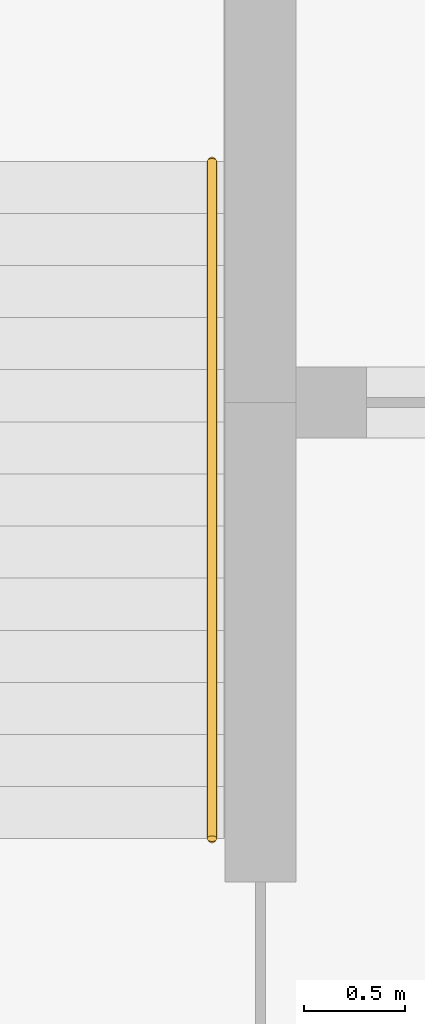
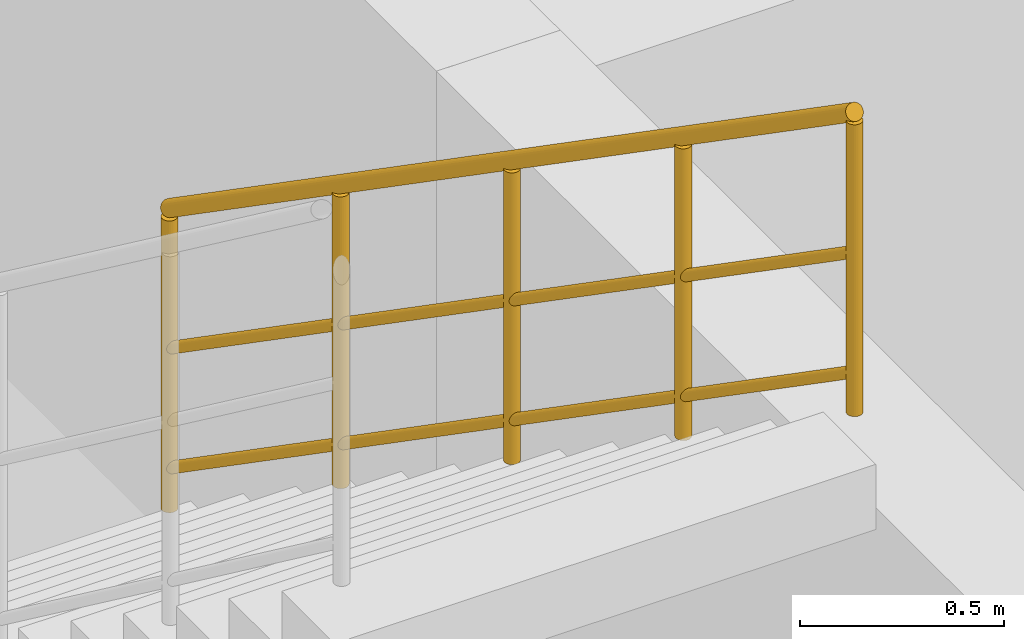
# One storey, part 29 of 29: 1 railing.
"""IFC4 building model written with IfcOpenShell, lengths in metres."""

import ifcopenshell
import ifcopenshell.guid

model = None  # the IFC model being written
_history = None  # IfcOwnerHistory: only IFC2X3 demands one
_inside = {}  # id of a spatial element -> (the spatial element, [elements in it])
_under = {}  # id of a project, library or spatial element -> (it, [spatial elements below it])
_declared = {}  # id of a project -> (the project, [libraries it declares])
_typed = {}  # id of a type object -> (the type object, [elements of that type])
_made_of = {}  # id of a material, layer set ... -> (it, [elements and type objects made of it])


def new_model(schema):
    """Start an empty IFC model of exactly this schema.

    Asked for "IFC4X3", IfcOpenShell would pick the latest addendum, in which some entities
    have other attributes; the version numbers below select the first issue.
    IFC2X3 requires an IfcOwnerHistory on every rooted entity: one is made here for all.
    """
    global model, _history
    if schema == "IFC4X3":
        model = ifcopenshell.file(schema_version=(4, 3, 0, 0))
    else:
        model = ifcopenshell.file(schema=schema)
    _inside.clear()
    _under.clear()
    _declared.clear()
    _typed.clear()
    _made_of.clear()
    _history = None
    if model.schema == "IFC2X3":
        org = make("IfcOrganization", Name="unknown")
        user = make(
            "IfcPersonAndOrganization",
            ThePerson=make("IfcPerson", FamilyName="unknown"),
            TheOrganization=org,
        )
        app = make(
            "IfcApplication",
            ApplicationDeveloper=org,
            Version="unknown",
            ApplicationFullName="unknown",
            ApplicationIdentifier="unknown",
        )
        _history = make(
            "IfcOwnerHistory",
            OwningUser=user,
            OwningApplication=app,
            ChangeAction="ADDED",
            CreationDate=0,
        )
    return model


def make(cls, **values):
    """One entity of the class cls with the attributes given. An attribute that is None is left unset."""
    return model.create_entity(
        cls, **{name: value for name, value in values.items() if value is not None}
    )


def rooted(cls, **values):
    """An entity with a GlobalId (a new one), such as an element, a storey or a relation."""
    return make(cls, GlobalId=ifcopenshell.guid.new(), OwnerHistory=_history, **values)


def si_unit(unit_type, name, prefix=None):
    """IfcSIUnit, for example si_unit("LENGTHUNIT", "METRE", prefix="MILLI")."""
    return make("IfcSIUnit", UnitType=unit_type, Prefix=prefix, Name=name)


def assignment(units):
    """IfcUnitAssignment: the units of a project."""
    return None if units is None else make("IfcUnitAssignment", Units=units)


def point(xyz):
    """IfcCartesianPoint."""
    return None if xyz is None else make("IfcCartesianPoint", Coordinates=xyz)


def direction(xyz):
    """IfcDirection."""
    return None if xyz is None else make("IfcDirection", DirectionRatios=xyz)


def frame(location, z_axis=None, x_axis=None):
    """IfcAxis2Placement3D, a coordinate frame: its origin and axes. An axis left out is left unset."""
    return make(
        "IfcAxis2Placement3D",
        Location=point(location),
        Axis=direction(z_axis),
        RefDirection=direction(x_axis),
    )


def frame_2d(location, x_axis=None):
    """IfcAxis2Placement2D, a coordinate frame in the plane: its origin and x axis."""
    return make(
        "IfcAxis2Placement2D", Location=point(location), RefDirection=direction(x_axis)
    )


def origin():
    """The frame at (0, 0, 0) with its axes left unset."""
    return frame((0.0, 0.0, 0.0))


def origin_2d():
    """The frame at (0, 0) in the plane with its x axis left unset."""
    return frame_2d((0.0, 0.0))


def place(relative_to, where):
    """IfcLocalPlacement: puts the frame where relative to a parent placement (None: the world)."""
    return make(
        "IfcLocalPlacement", PlacementRelTo=relative_to, RelativePlacement=where
    )


def context(
    kind, dimensions, precision=None, world=None, true_north=None, identifier=None
):
    """IfcGeometricRepresentationContext, for example the 3D "Model" context."""
    return make(
        "IfcGeometricRepresentationContext",
        ContextIdentifier=identifier,
        ContextType=kind,
        CoordinateSpaceDimension=dimensions,
        Precision=precision,
        WorldCoordinateSystem=world,
        TrueNorth=true_north,
    )


def subcontext(parent, identifier, kind, view, scale=None):
    """IfcGeometricRepresentationSubContext, for example "Body" below "Model"."""
    return make(
        "IfcGeometricRepresentationSubContext",
        ContextIdentifier=identifier,
        ContextType=kind,
        ParentContext=parent,
        TargetScale=scale,
        TargetView=view,
    )


def project(units=None, contexts=None):
    """IfcProject with its units and contexts."""
    return rooted(
        "IfcProject",
        Name="project",
        RepresentationContexts=contexts,
        UnitsInContext=assignment(units),
    )


def spatial(cls, under=None, at=None, **own):
    """A site, building, storey or space (cls), placed at a placement, below another one or the project."""
    s = rooted(cls, ObjectPlacement=at, **own)
    if under is not None:
        _under.setdefault(under.id(), (under, []))[1].append(s)
    return s


def profile(cls, at=None, kind="AREA", **sizes):
    """A parametric profile (cls). Its sizes go by their IFC names, for example OverallWidth=200.0."""
    return make(cls, ProfileType=kind, Position=at, **sizes)


def circle(**sizes):
    """IfcCircleProfileDef."""
    return profile("IfcCircleProfileDef", **sizes)


def extrude(swept, where, along, depth):
    """IfcExtrudedAreaSolid: the profile swept, set in the frame where, extruded along a direction by depth."""
    return make(
        "IfcExtrudedAreaSolid",
        SweptArea=swept,
        Position=where,
        ExtrudedDirection=direction(along),
        Depth=depth,
    )


def shape(context_of_items, identifier, shape_type, items):
    """IfcShapeRepresentation: the items that make up one representation, for example the "Body"."""
    return make(
        "IfcShapeRepresentation",
        ContextOfItems=context_of_items,
        RepresentationIdentifier=identifier,
        RepresentationType=shape_type,
        Items=items,
    )


def material(Name=None, Category=None):
    """IfcMaterial."""
    return make("IfcMaterial", Name=Name, Category=Category)


def layer(
    of_material, thickness, ventilated=None, Name=None, Category=None, Priority=None
):
    """IfcMaterialLayer: one layer of a wall or slab, of a material (None: an air gap)."""
    return make(
        "IfcMaterialLayer",
        Material=of_material,
        LayerThickness=thickness,
        IsVentilated=ventilated,
        Name=Name,
        Category=Category,
        Priority=Priority,
    )


def layer_set(layers, Name=None):
    """IfcMaterialLayerSet."""
    return make("IfcMaterialLayerSet", MaterialLayers=layers, LayerSetName=Name)


def made_of(thing, what):
    """Note that an element or type object is made of a material, layer set ...; save() writes the relation."""
    if what is not None:
        _made_of.setdefault(what.id(), (what, []))[1].append(thing)
    return thing


def type_object(cls, material=None, **own):
    """A type object (cls), such as IfcWallType, which elements share."""
    return made_of(rooted(cls, **own), material)


def element(
    cls,
    number,
    at=None,
    inside=None,
    cuts=None,
    type_object=None,
    material=None,
    context=None,
    identifier="Body",
    shape_type=None,
    held_by="IfcProductDefinitionShape",
    body=None,
    shapes=None,
    **own,
):
    """One element of the class cls, such as IfcWall. Its Tag is "e" and its number.

    at: its placement. inside: the storey or other place that contains it. cuts: it is an
    opening in that element (IfcRelVoidsElement). A single representation is given by context,
    identifier, shape_type and body (its items); several are given by shapes. held_by: the class
    of the entity that holds the representations. save() writes the other relations.
    """
    e = rooted(cls, Tag="e%d" % number, ObjectPlacement=at, **own)
    if body is not None:
        shapes = [shape(context, identifier, shape_type, body)]
    if shapes is not None:
        e.Representation = make(held_by, Representations=shapes)
    if inside is not None:
        _inside.setdefault(inside.id(), (inside, []))[1].append(e)
    if cuts is not None:
        rooted(
            "IfcRelVoidsElement", RelatingBuildingElement=cuts, RelatedOpeningElement=e
        )
    if type_object is not None:
        _typed.setdefault(type_object.id(), (type_object, []))[1].append(e)
    return made_of(e, material)


def aggregate(whole, parts):
    """IfcRelAggregates: a whole, such as a stair, and the parts it consists of."""
    return rooted("IfcRelAggregates", RelatingObject=whole, RelatedObjects=parts)


def save(model, path):
    """Write the relations noted so far, then the file.

    IfcRelAggregates (storeys below a building ...), IfcRelContainedInSpatialStructure (elements
    in a storey), IfcRelDefinesByType, IfcRelAssociatesMaterial and IfcRelDeclares: one each for
    every whole, place, type object, material and project.
    """
    for whole, parts in _under.values():
        aggregate(whole, parts)
    for where, things in _inside.values():
        rooted(
            "IfcRelContainedInSpatialStructure",
            RelatedElements=things,
            RelatingStructure=where,
        )
    for kind, things in _typed.values():
        rooted("IfcRelDefinesByType", RelatedObjects=things, RelatingType=kind)
    for what, things in _made_of.values():
        rooted("IfcRelAssociatesMaterial", RelatedObjects=things, RelatingMaterial=what)
    for by, libraries in _declared.values():
        rooted("IfcRelDeclares", RelatingContext=by, RelatedDefinitions=libraries)
    model.write(path)


model = new_model("IFC4")

# Units and contexts
model_context = context("Model", 3, precision=1e-05, world=origin(), true_north=direction((0.0, 1.0)))
body_context = subcontext(model_context, "Body", "Model", "MODEL_VIEW")
ifc_project = project(units=[si_unit("LENGTHUNIT", "METRE"), si_unit("AREAUNIT", "SQUARE_METRE"), si_unit("VOLUMEUNIT", "CUBIC_METRE"), si_unit("PLANEANGLEUNIT", "RADIAN"), si_unit("MASSUNIT", "GRAM", prefix="KILO")], contexts=[model_context])

# Site, building, storey
site_placement = place(None, origin())
site = spatial("IfcSite", under=ifc_project, at=site_placement, CompositionType="ELEMENT")
building_placement = place(site_placement, origin())
building = spatial("IfcBuilding", under=site, at=building_placement, Name="Keshet Zoharim Tower", CompositionType="ELEMENT")
storey_placement = place(building_placement, frame((0.0, 0.0, 19.0)))
storey = spatial("IfcBuildingStorey", under=building, at=storey_placement, Name="L03", CompositionType="ELEMENT", Elevation=19.0)

# Railing
ifc_material = material(Name="Steel S355", Category="steel")
ifc_layer = layer(ifc_material, 0.050048828125)
ifc_layer_set = layer_set([ifc_layer], Name="Steel S355")
railing_type = type_object("IfcRailingType", Name="RL-HND-092", PredefinedType="HANDRAIL", material=ifc_layer_set)
railing_placement = place(storey_placement, frame((18.760009765625, 36.194091796875, 2.6787109375)))
element("IfcRailing", 1, at=railing_placement, inside=storey, type_object=railing_type, Name="L03 ST-02 Flight 2 Wall Handrail", PredefinedType="HANDRAIL", context=body_context, shape_type="SweptSolid", body=[
    extrude(circle(Radius=0.02392578125, at=origin_2d()), frame((0.0, 0.0, 0.89599609375), z_axis=(0.0, -0.82227406339, 0.569091701464), x_axis=(1.0, 0.0, 0.0)), (0.0, 0.0, 1.0), 4.078857421875),
    extrude(circle(Radius=0.01611328125, at=origin_2d()), frame((0.0, 0.0, 0.478271484375), z_axis=(0.0, -0.82227406339, 0.569091701464), x_axis=(1.0, 0.0, 0.0)), (0.0, 0.0, 1.0), 4.078857421875),
    extrude(circle(Radius=0.01611328125, at=origin_2d()), frame((0.0, 0.0, 0.1201171875), z_axis=(0.0, -0.82227406339, 0.569091701464), x_axis=(1.0, 0.0, 0.0)), (0.0, 0.0, 1.0), 4.078857421875),
    extrude(circle(Radius=0.02099609375, at=origin_2d()), origin(), (0.0, 0.0, 1.0), 0.871826171875),
    extrude(circle(Radius=0.02099609375, at=origin_2d()), frame((0.0, -0.83837890625, 0.580322265625)), (0.0, 0.0, 1.0), 0.871826171875),
    extrude(circle(Radius=0.02099609375, at=origin_2d()), frame((0.0, -1.677001953125, 1.16064453125)), (0.0, 0.0, 1.0), 0.871826171875),
    extrude(circle(Radius=0.02099609375, at=origin_2d()), frame((0.0, -2.515625, 1.740966796875)), (0.0, 0.0, 1.0), 0.871826171875),
    extrude(circle(Radius=0.02099609375, at=origin_2d()), frame((0.0, -3.35400390625, 2.3212890625)), (0.0, 0.0, 1.0), 0.871826171875),
])

save(model, "model.ifc")
